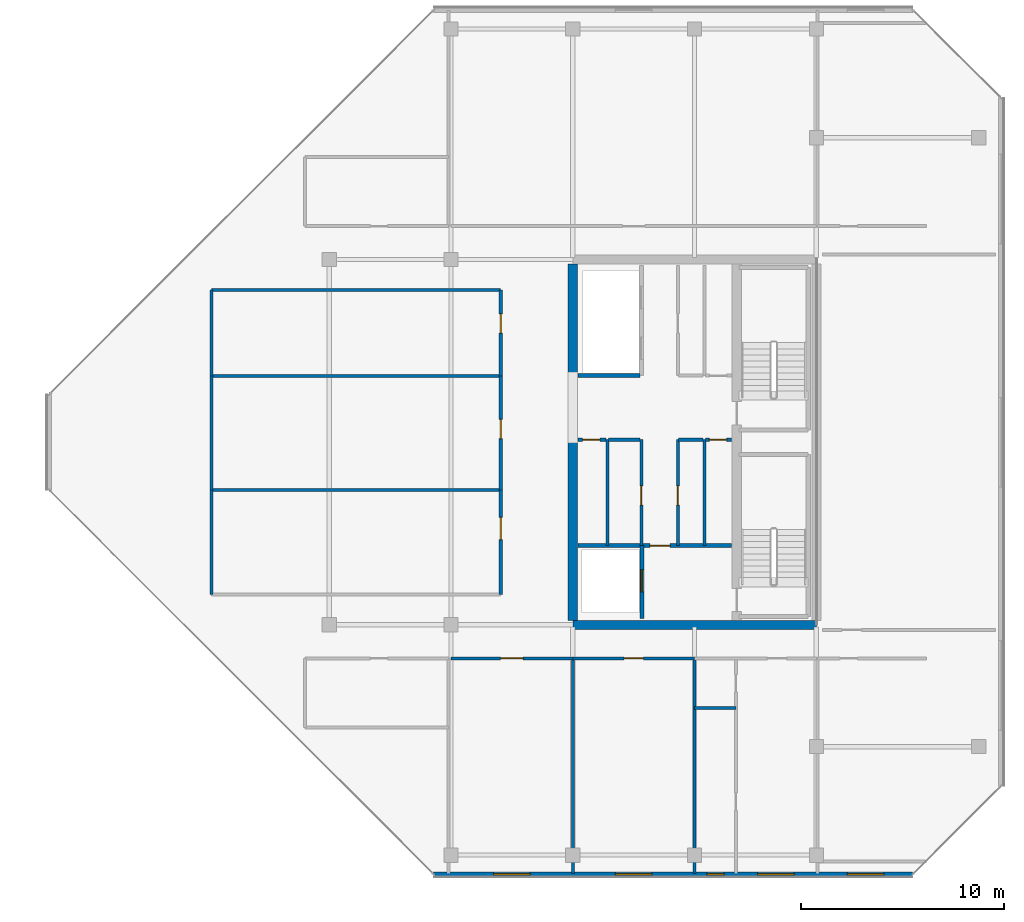
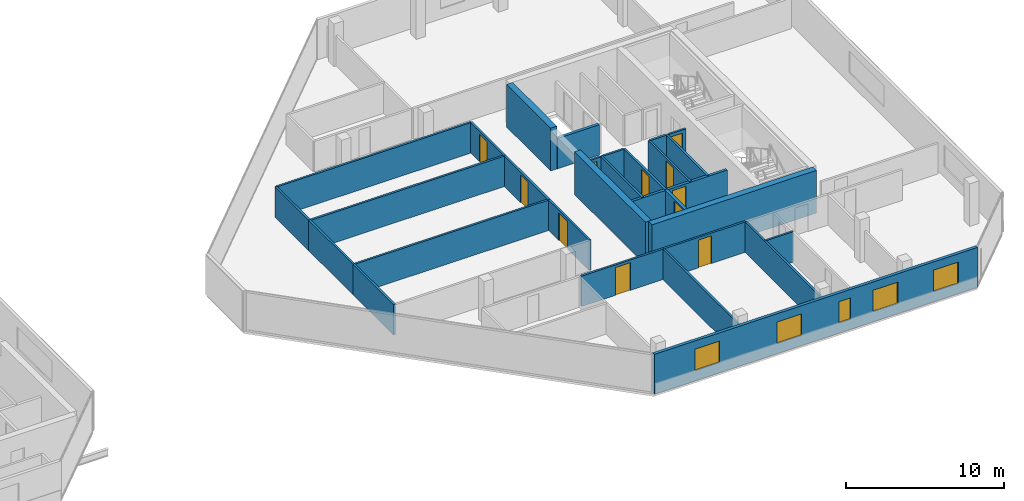
# One storey, part 23 of 29: 29 walls, 11 doors, 5 windows, 16 openings.
"""IFC4 building model written with IfcOpenShell, lengths in metres."""

from ifc_helpers import new_model, si_unit, direction, frame, frame_2d, origin, place, context, subcontext, project, spatial, rectangle, extrude, material, layer, layer_set, type_object, element, fill, save


model = new_model("IFC4")

# Units and contexts
model_context = context("Model", 3, precision=1e-05, world=origin(), true_north=direction((0.0, 1.0)))
body_context = subcontext(model_context, "Body", "Model", "MODEL_VIEW")
ifc_project = project(units=[si_unit("LENGTHUNIT", "METRE"), si_unit("AREAUNIT", "SQUARE_METRE"), si_unit("VOLUMEUNIT", "CUBIC_METRE"), si_unit("PLANEANGLEUNIT", "RADIAN"), si_unit("MASSUNIT", "GRAM", prefix="KILO")], contexts=[model_context])

# Site, building, storey
site_placement = place(None, origin())
site = spatial("IfcSite", under=ifc_project, at=site_placement, CompositionType="ELEMENT")
building_placement = place(site_placement, origin())
building = spatial("IfcBuilding", under=site, at=building_placement, Name="Tanjung Sevakor Pilgrim Tower", CompositionType="ELEMENT")
storey_placement = place(building_placement, frame((0.0, 0.0, 235.949951171875)))
storey = spatial("IfcBuildingStorey", under=building, at=storey_placement, Name="L66", CompositionType="ELEMENT", Elevation=235.949951171875)

# Walls
ifc_material_1 = material(Name="Concrete C60/75", Category="concrete")
ifc_layer_1 = layer(ifc_material_1, 0.449951171875)
ifc_layer_set_1 = layer_set([ifc_layer_1], Name="WALL-CW-450")
wall_type_1 = type_object("IfcWallType", Name="WALL-CW-450", PredefinedType="SHEAR", material=ifc_layer_set_1)
wall_1_placement = place(storey_placement, frame((78.0, 24.60009765625, 0.0), z_axis=(0.0, 0.0, 1.0), x_axis=(1.0, 0.0, 0.0)))
element("IfcWall", 1, at=wall_1_placement, inside=storey, type_object=wall_type_1, Name="L66 E Core South Shear Wall", PredefinedType="SHEAR", context=body_context, shape_type="SweptSolid", body=[
    extrude(rectangle(XDim=12.0, YDim=0.449951171875, at=frame_2d((6.0, 0.0))), origin(), (0.0, 0.0, 1.0), 3.300048828125),
])
wall_2_placement = place(storey_placement, frame((78.0, 24.824951171875, 0.0), z_axis=(0.0, 0.0, 1.0), x_axis=(0.0, 1.0, 0.0)))
element("IfcWall", 2, at=wall_2_placement, inside=storey, type_object=wall_type_1, Name="L66 E Core Inner Shear Wall South", PredefinedType="SHEAR", context=body_context, shape_type="SweptSolid", body=[
    extrude(rectangle(XDim=8.97509765625, YDim=0.449951171875, at=frame_2d((4.487548828125, 0.0))), origin(), (0.0, 0.0, 1.0), 3.300048828125),
])
wall_3_placement = place(storey_placement, frame((78.0, 36.800048828125, 0.0), z_axis=(0.0, 0.0, 1.0), x_axis=(0.0, 1.0, 0.0)))
element("IfcWall", 3, at=wall_3_placement, inside=storey, type_object=wall_type_1, Name="L66 E Core Inner Shear Wall North", PredefinedType="SHEAR", context=body_context, shape_type="SweptSolid", body=[
    extrude(rectangle(XDim=5.574951171875, YDim=0.449951171875, at=frame_2d((2.78759765625, 0.0))), origin(), (0.0, 0.0, 1.0), 3.300048828125),
])
ifc_material_2 = material(Name="Concrete C40/50", Category="concrete")
ifc_layer_2 = layer(ifc_material_2, 0.14990234375)
ifc_layer_set_2 = layer_set([ifc_layer_2], Name="WT-COMP-150")
wall_type_2 = type_object("IfcWallType", Name="WT-COMP-150", PredefinedType="SOLIDWALL", material=ifc_layer_set_2)
wall_4_placement = place(storey_placement, frame((84.47998046875, 28.5, 0.0), z_axis=(0.0, 0.0, 1.0), x_axis=(0.0, 1.0, 0.0)))
element("IfcWall", 4, at=wall_4_placement, inside=storey, type_object=wall_type_2, Name="L66 Partition IW-L66-019", PredefinedType="SOLIDWALL", context=body_context, shape_type="SweptSolid", body=[
    extrude(rectangle(XDim=5.219970703125, YDim=0.14990234375, at=frame_2d((2.60986328125, 0.0))), origin(), (0.0, 0.0, 1.0), 2.35009765625),
])

# Wall, opening, door
wall_5_placement = place(storey_placement, frame((84.550048828125, 33.719970703125, 0.0), z_axis=(0.0, 0.0, 1.0), x_axis=(1.0, 0.0, 0.0)))
wall_5 = element("IfcWall", 5, at=wall_5_placement, inside=storey, type_object=wall_type_2, Name="L66 Partition IW-L66-020", PredefinedType="SOLIDWALL", context=body_context, shape_type="SweptSolid", body=[
    extrude(rectangle(XDim=1.280029296875, YDim=0.14990234375, at=frame_2d((0.64013671875, 0.0))), origin(), (0.0, 0.0, 1.0), 2.35009765625),
])
opening_1_placement = place(wall_5_placement, frame((0.179931640625, 0.0, 0.0)))
opening_1 = element("IfcOpeningElement", 6, at=opening_1_placement, cuts=wall_5, Name="Opening ID-FD3", PredefinedType="OPENING", context=body_context, shape_type="SweptSolid", body=[
    extrude(rectangle(XDim=0.85009765625, YDim=2.10009765625, at=frame_2d((0.425048828125, 1.050048828125))), frame((0.0, 0.0849609375, 0.0), z_axis=(0.0, -1.0, 0.0), x_axis=(1.0, 0.0, 0.0)), (0.0, 0.0, 1.0), 0.169921875),
])
ifc_material_3 = material(Name="Fire-Rated Timber", Category="wood")
door_type_1 = type_object("IfcDoorType", Name="DT-FIRE-850", OperationType="NOTDEFINED", PredefinedType="DOOR", material=ifc_material_3)
door_1_placement = place(opening_1_placement, origin())
door_1 = element("IfcDoor", 7, at=door_1_placement, inside=storey, type_object=door_type_1, Name="L66 Cleaner Store Door", OperationType="SINGLE_SWING_RIGHT", OverallHeight=2.10009765625, OverallWidth=0.85009765625, PredefinedType="DOOR", context=body_context, shape_type="SweptSolid", body=[
    extrude(rectangle(XDim=0.85009765625, YDim=2.10009765625, at=frame_2d((0.425048828125, 1.050048828125))), frame((0.0, 0.02490234375, 0.0), z_axis=(0.0, -1.0, 0.0), x_axis=(1.0, 0.0, 0.0)), (0.0, 0.0, 1.0), 0.050048828125),
])
fill(opening_1, door_1)

# Wall
wall_6_placement = place(storey_placement, frame((83.199951171875, 33.719970703125, 0.0), z_axis=(0.0, 0.0, 1.0), x_axis=(1.0, 0.0, 0.0)))
element("IfcWall", 8, at=wall_6_placement, inside=storey, type_object=wall_type_2, Name="L66 Partition IW-L66-021", PredefinedType="SOLIDWALL", context=body_context, shape_type="SweptSolid", body=[
    extrude(rectangle(XDim=1.219970703125, YDim=0.14990234375, at=frame_2d((0.60986328125, 0.0))), origin(), (0.0, 0.0, 1.0), 2.35009765625),
])

# Wall, opening, door
wall_7_placement = place(storey_placement, frame((83.179931640625, 28.5, 0.0), z_axis=(0.0, 0.0, 1.0), x_axis=(0.0, 1.0, 0.0)))
wall_7 = element("IfcWall", 9, at=wall_7_placement, inside=storey, type_object=wall_type_2, Name="L66 Partition IW-L66-022", PredefinedType="SOLIDWALL", context=body_context, shape_type="SweptSolid", body=[
    extrude(rectangle(XDim=5.219970703125, YDim=0.14990234375, at=frame_2d((2.60986328125, 0.0))), origin(), (0.0, 0.0, 1.0), 2.35009765625),
])
opening_2_placement = place(wall_7_placement, frame((2.0, 0.0, 0.0)))
opening_2 = element("IfcOpeningElement", 10, at=opening_2_placement, cuts=wall_7, Name="Opening ID-FD2", PredefinedType="OPENING", context=body_context, shape_type="SweptSolid", body=[
    extrude(rectangle(XDim=0.949951171875, YDim=2.14990234375, at=frame_2d((0.47509765625, 1.074951171875))), frame((0.0, 0.0849609375, 0.0), z_axis=(0.0, -1.0, 0.0), x_axis=(1.0, 0.0, 0.0)), (0.0, 0.0, 1.0), 0.169921875),
])
ifc_material_4 = material(Name="Fire-Rated Timber", Category="wood")
door_type_2 = type_object("IfcDoorType", Name="DT-FIRE-950", OperationType="NOTDEFINED", PredefinedType="DOOR", material=ifc_material_4)
door_2_placement = place(opening_2_placement, origin())
door_2 = element("IfcDoor", 11, at=door_2_placement, inside=storey, type_object=door_type_2, Name="L66 Housekeeping Pantry Door", OperationType="SINGLE_SWING_LEFT", OverallHeight=2.14990234375, OverallWidth=0.949951171875, PredefinedType="DOOR", context=body_context, shape_type="SweptSolid", body=[
    extrude(rectangle(XDim=0.949951171875, YDim=2.14990234375, at=frame_2d((0.47509765625, 1.074951171875))), frame((0.0, 0.02490234375, 0.0), z_axis=(0.0, -1.0, 0.0), x_axis=(1.0, 0.0, 0.0)), (0.0, 0.0, 1.0), 0.050048828125),
])
fill(opening_2, door_2)

# Walls
wall_8_placement = place(storey_placement, frame((79.699951171875, 28.5, 0.0), z_axis=(0.0, 0.0, 1.0), x_axis=(0.0, 1.0, 0.0)))
element("IfcWall", 12, at=wall_8_placement, inside=storey, type_object=wall_type_2, Name="L66 Partition IW-L66-023", PredefinedType="SOLIDWALL", context=body_context, shape_type="SweptSolid", body=[
    extrude(rectangle(XDim=5.219970703125, YDim=0.14990234375, at=frame_2d((2.60986328125, 0.0))), origin(), (0.0, 0.0, 1.0), 2.35009765625),
])
wall_9_placement = place(storey_placement, frame((79.760009765625, 33.719970703125, 0.0), z_axis=(0.0, 0.0, 1.0), x_axis=(1.0, 0.0, 0.0)))
element("IfcWall", 13, at=wall_9_placement, inside=storey, type_object=wall_type_2, Name="L66 Partition IW-L66-024", PredefinedType="SOLIDWALL", context=body_context, shape_type="SweptSolid", body=[
    extrude(rectangle(XDim=1.56005859375, YDim=0.14990234375, at=frame_2d((0.780029296875, 0.0))), origin(), (0.0, 0.0, 1.0), 2.35009765625),
])

# Wall, opening, door
wall_10_placement = place(storey_placement, frame((78.2451171875, 33.719970703125, 0.0), z_axis=(0.0, 0.0, 1.0), x_axis=(1.0, 0.0, 0.0)))
wall_10 = element("IfcWall", 14, at=wall_10_placement, inside=storey, type_object=wall_type_2, Name="L66 Partition IW-L66-025", PredefinedType="SOLIDWALL", context=body_context, shape_type="SweptSolid", body=[
    extrude(rectangle(XDim=1.394775390625, YDim=0.14990234375, at=frame_2d((0.697265625, 0.0))), origin(), (0.0, 0.0, 1.0), 2.35009765625),
])
opening_3_placement = place(wall_10_placement, frame((0.239990234375, 0.0, 0.0)))
opening_3 = element("IfcOpeningElement", 15, at=opening_3_placement, cuts=wall_10, Name="Opening ID-FD3", PredefinedType="OPENING", context=body_context, shape_type="SweptSolid", body=[
    extrude(rectangle(XDim=0.85009765625, YDim=2.10009765625, at=frame_2d((0.425048828125, 1.050048828125))), frame((0.0, 0.0849609375, 0.0), z_axis=(0.0, -1.0, 0.0), x_axis=(1.0, 0.0, 0.0)), (0.0, 0.0, 1.0), 0.169921875),
])
door_3_placement = place(opening_3_placement, origin())
door_3 = element("IfcDoor", 16, at=door_3_placement, inside=storey, type_object=door_type_1, Name="L66 Service Store Door", OperationType="SINGLE_SWING_RIGHT", OverallHeight=2.10009765625, OverallWidth=0.85009765625, PredefinedType="DOOR", context=body_context, shape_type="SweptSolid", body=[
    extrude(rectangle(XDim=0.85009765625, YDim=2.10009765625, at=frame_2d((0.425048828125, 1.050048828125))), frame((0.0, 0.02490234375, 0.0), z_axis=(0.0, -1.0, 0.0), x_axis=(1.0, 0.0, 0.0)), (0.0, 0.0, 1.0), 0.050048828125),
])
fill(opening_3, door_3)

wall_11_placement = place(storey_placement, frame((81.3798828125, 28.5, 0.0), z_axis=(0.0, 0.0, 1.0), x_axis=(0.0, 1.0, 0.0)))
wall_11 = element("IfcWall", 17, at=wall_11_placement, inside=storey, type_object=wall_type_2, Name="L66 Partition IW-L66-026", PredefinedType="SOLIDWALL", context=body_context, shape_type="SweptSolid", body=[
    extrude(rectangle(XDim=5.219970703125, YDim=0.14990234375, at=frame_2d((2.60986328125, 0.0))), origin(), (0.0, 0.0, 1.0), 2.35009765625),
])
opening_4_placement = place(wall_11_placement, frame((2.0, 0.0, 0.0)))
opening_4 = element("IfcOpeningElement", 18, at=opening_4_placement, cuts=wall_11, Name="Opening ID-FD2", PredefinedType="OPENING", context=body_context, shape_type="SweptSolid", body=[
    extrude(rectangle(XDim=0.949951171875, YDim=2.14990234375, at=frame_2d((0.47509765625, 1.074951171875))), frame((0.0, 0.0849609375, 0.0), z_axis=(0.0, -1.0, 0.0), x_axis=(1.0, 0.0, 0.0)), (0.0, 0.0, 1.0), 0.169921875),
])
door_4_placement = place(opening_4_placement, origin())
door_4 = element("IfcDoor", 19, at=door_4_placement, inside=storey, type_object=door_type_2, Name="L66 Accessible WC Door", OperationType="SINGLE_SWING_LEFT", OverallHeight=2.14990234375, OverallWidth=0.949951171875, PredefinedType="DOOR", context=body_context, shape_type="SweptSolid", body=[
    extrude(rectangle(XDim=0.949951171875, YDim=2.14990234375, at=frame_2d((0.47509765625, 1.074951171875))), frame((0.0, 0.02490234375, 0.0), z_axis=(0.0, -1.0, 0.0), x_axis=(1.0, 0.0, 0.0)), (0.0, 0.0, 1.0), 0.050048828125),
])
fill(opening_4, door_4)

# Wall
wall_12_placement = place(storey_placement, frame((78.0, 12.340087890625, 0.0), z_axis=(0.0, 0.0, 1.0), x_axis=(0.0, 1.0, 0.0)))
element("IfcWall", 20, at=wall_12_placement, inside=storey, type_object=wall_type_2, Name="L66 Partition IW-L66-057", PredefinedType="SOLIDWALL", context=body_context, shape_type="SweptSolid", body=[
    extrude(rectangle(XDim=10.60986328125, YDim=0.14990234375, at=frame_2d((5.304931640625, 0.0))), origin(), (0.0, 0.0, 1.0), 2.35009765625),
])

# Wall, opening, door
wall_13_placement = place(storey_placement, frame((72.0, 22.949951171875, 0.0), z_axis=(0.0, 0.0, 1.0), x_axis=(1.0, 0.0, 0.0)))
wall_13 = element("IfcWall", 21, at=wall_13_placement, inside=storey, type_object=wall_type_2, Name="L66 Partition IW-L66-058", PredefinedType="SOLIDWALL", context=body_context, shape_type="SweptSolid", body=[
    extrude(rectangle(XDim=6.0, YDim=0.14990234375, at=frame_2d((3.0, 0.0))), origin(), (0.0, 0.0, 1.0), 2.35009765625),
])
opening_5_placement = place(wall_13_placement, frame((2.449951171875, 0.0, 0.0)))
opening_5 = element("IfcOpeningElement", 22, at=opening_5_placement, cuts=wall_13, Name="Opening ID-FD0", PredefinedType="OPENING", context=body_context, shape_type="SweptSolid", body=[
    extrude(rectangle(XDim=1.10009765625, YDim=2.14990234375, at=frame_2d((0.550048828125, 1.074951171875))), frame((0.0, 0.0849609375, 0.0), z_axis=(0.0, -1.0, 0.0), x_axis=(1.0, 0.0, 0.0)), (0.0, 0.0, 1.0), 0.169921875),
])
ifc_material_5 = material(Name="Fire-Rated Steel S355J2", Category="steel")
door_type_3 = type_object("IfcDoorType", Name="DT-FIRE-1100", OperationType="NOTDEFINED", PredefinedType="DOOR", material=ifc_material_5)
door_5_placement = place(opening_5_placement, origin())
door_5 = element("IfcDoor", 23, at=door_5_placement, inside=storey, type_object=door_type_3, Name="Council Room Door", OperationType="SINGLE_SWING_RIGHT", OverallHeight=2.14990234375, OverallWidth=1.10009765625, PredefinedType="DOOR", context=body_context, shape_type="SweptSolid", body=[
    extrude(rectangle(XDim=1.10009765625, YDim=2.14990234375, at=frame_2d((0.550048828125, 1.074951171875))), frame((0.0, 0.02490234375, 0.0), z_axis=(0.0, -1.0, 0.0), x_axis=(1.0, 0.0, 0.0)), (0.0, 0.0, 1.0), 0.050048828125),
])
fill(opening_5, door_5)

# Wall
wall_14_placement = place(storey_placement, frame((84.0, 12.340087890625, 0.0), z_axis=(0.0, 0.0, 1.0), x_axis=(0.0, 1.0, 0.0)))
element("IfcWall", 24, at=wall_14_placement, inside=storey, type_object=wall_type_2, Name="L66 Partition IW-L66-059", PredefinedType="SOLIDWALL", context=body_context, shape_type="SweptSolid", body=[
    extrude(rectangle(XDim=10.60986328125, YDim=0.14990234375, at=frame_2d((5.304931640625, 0.0))), origin(), (0.0, 0.0, 1.0), 2.35009765625),
])

# Wall, opening, door
wall_15_placement = place(storey_placement, frame((78.0, 22.949951171875, 0.0), z_axis=(0.0, 0.0, 1.0), x_axis=(1.0, 0.0, 0.0)))
wall_15 = element("IfcWall", 25, at=wall_15_placement, inside=storey, type_object=wall_type_2, Name="L66 Partition IW-L66-060", PredefinedType="SOLIDWALL", context=body_context, shape_type="SweptSolid", body=[
    extrude(rectangle(XDim=6.0, YDim=0.14990234375, at=frame_2d((3.0, 0.0))), origin(), (0.0, 0.0, 1.0), 2.35009765625),
])
opening_6_placement = place(wall_15_placement, frame((2.52490234375, 0.0, 0.0)))
opening_6 = element("IfcOpeningElement", 26, at=opening_6_placement, cuts=wall_15, Name="Opening ID-FD2", PredefinedType="OPENING", context=body_context, shape_type="SweptSolid", body=[
    extrude(rectangle(XDim=0.949951171875, YDim=2.14990234375, at=frame_2d((0.47509765625, 1.074951171875))), frame((0.0, 0.0849609375, 0.0), z_axis=(0.0, -1.0, 0.0), x_axis=(1.0, 0.0, 0.0)), (0.0, 0.0, 1.0), 0.169921875),
])
door_6_placement = place(opening_6_placement, origin())
door_6 = element("IfcDoor", 27, at=door_6_placement, inside=storey, type_object=door_type_2, Name="Housekeeping Pantry Door", OperationType="SINGLE_SWING_LEFT", OverallHeight=2.14990234375, OverallWidth=0.949951171875, PredefinedType="DOOR", context=body_context, shape_type="SweptSolid", body=[
    extrude(rectangle(XDim=0.949951171875, YDim=2.14990234375, at=frame_2d((0.47509765625, 1.074951171875))), frame((0.0, 0.02490234375, 0.0), z_axis=(0.0, -1.0, 0.0), x_axis=(1.0, 0.0, 0.0)), (0.0, 0.0, 1.0), 0.050048828125),
])
fill(opening_6, door_6)

# Walls
wall_16_placement = place(storey_placement, frame((60.199951171875, 31.25, 0.0), z_axis=(0.0, 0.0, 1.0), x_axis=(1.0, 0.0, 0.0)))
element("IfcWall", 28, at=wall_16_placement, inside=storey, type_object=wall_type_2, Name="L66 Partition IW-L66-066", PredefinedType="SOLIDWALL", context=body_context, shape_type="SweptSolid", body=[
    extrude(rectangle(XDim=14.25, YDim=0.14990234375, at=frame_2d((7.125, 0.0))), origin(), (0.0, 0.0, 1.0), 2.35009765625),
])
wall_17_placement = place(storey_placement, frame((60.199951171875, 26.10009765625, 0.0), z_axis=(0.0, 0.0, 1.0), x_axis=(0.0, 1.0, 0.0)))
element("IfcWall", 29, at=wall_17_placement, inside=storey, type_object=wall_type_2, Name="L66 Partition IW-L66-067", PredefinedType="SOLIDWALL", context=body_context, shape_type="SweptSolid", body=[
    extrude(rectangle(XDim=5.14990234375, YDim=0.14990234375, at=frame_2d((2.574951171875, 0.0))), origin(), (0.0, 0.0, 1.0), 2.35009765625),
])

# Wall, opening, door
wall_18_placement = place(storey_placement, frame((74.449951171875, 26.10009765625, 0.0), z_axis=(0.0, 0.0, 1.0), x_axis=(0.0, 1.0, 0.0)))
wall_18 = element("IfcWall", 30, at=wall_18_placement, inside=storey, type_object=wall_type_2, Name="L66 Partition IW-L66-068", PredefinedType="SOLIDWALL", context=body_context, shape_type="SweptSolid", body=[
    extrude(rectangle(XDim=5.14990234375, YDim=0.14990234375, at=frame_2d((2.574951171875, 0.0))), origin(), (0.0, 0.0, 1.0), 2.35009765625),
])
opening_7_placement = place(wall_18_placement, frame((2.699951171875, 0.0, 0.0)))
opening_7 = element("IfcOpeningElement", 31, at=opening_7_placement, cuts=wall_18, Name="Opening ID-RM2", PredefinedType="OPENING", context=body_context, shape_type="SweptSolid", body=[
    extrude(rectangle(XDim=1.10009765625, YDim=2.14990234375, at=frame_2d((0.550048828125, 1.074951171875))), frame((0.0, 0.0849609375, 0.0), z_axis=(0.0, -1.0, 0.0), x_axis=(1.0, 0.0, 0.0)), (0.0, 0.0, 1.0), 0.169921875),
])
ifc_material_6 = material(Name="Hardwood Timber", Category="wood")
door_type_4 = type_object("IfcDoorType", Name="DT-INT-1100", OperationType="NOTDEFINED", PredefinedType="DOOR", material=ifc_material_6)
door_7_placement = place(opening_7_placement, origin())
door_7 = element("IfcDoor", 32, at=door_7_placement, inside=storey, type_object=door_type_4, Name="L66 South Peak Lounge Door", OperationType="SINGLE_SWING_RIGHT", OverallHeight=2.14990234375, OverallWidth=1.10009765625, PredefinedType="DOOR", context=body_context, shape_type="SweptSolid", body=[
    extrude(rectangle(XDim=1.10009765625, YDim=2.14990234375, at=frame_2d((0.550048828125, 1.074951171875))), frame((0.0, 0.02490234375, 0.0), z_axis=(0.0, -1.0, 0.0), x_axis=(1.0, 0.0, 0.0)), (0.0, 0.0, 1.0), 0.050048828125),
])
fill(opening_7, door_7)

# Walls
wall_19_placement = place(storey_placement, frame((60.199951171875, 36.85009765625, 0.0), z_axis=(0.0, 0.0, 1.0), x_axis=(1.0, 0.0, 0.0)))
element("IfcWall", 33, at=wall_19_placement, inside=storey, type_object=wall_type_2, Name="L66 Partition IW-L66-069", PredefinedType="SOLIDWALL", context=body_context, shape_type="SweptSolid", body=[
    extrude(rectangle(XDim=14.25, YDim=0.14990234375, at=frame_2d((7.125, 0.0))), origin(), (0.0, 0.0, 1.0), 2.35009765625),
])
wall_20_placement = place(storey_placement, frame((60.199951171875, 31.25, 0.0), z_axis=(0.0, 0.0, 1.0), x_axis=(0.0, 1.0, 0.0)))
element("IfcWall", 34, at=wall_20_placement, inside=storey, type_object=wall_type_2, Name="L66 Partition IW-L66-070", PredefinedType="SOLIDWALL", context=body_context, shape_type="SweptSolid", body=[
    extrude(rectangle(XDim=5.60009765625, YDim=0.14990234375, at=frame_2d((2.800048828125, 0.0))), origin(), (0.0, 0.0, 1.0), 2.35009765625),
])

# Wall, opening, door
wall_21_placement = place(storey_placement, frame((74.449951171875, 31.25, 0.0), z_axis=(0.0, 0.0, 1.0), x_axis=(0.0, 1.0, 0.0)))
wall_21 = element("IfcWall", 35, at=wall_21_placement, inside=storey, type_object=wall_type_2, Name="L66 Partition IW-L66-071", PredefinedType="SOLIDWALL", context=body_context, shape_type="SweptSolid", body=[
    extrude(rectangle(XDim=5.60009765625, YDim=0.14990234375, at=frame_2d((2.800048828125, 0.0))), origin(), (0.0, 0.0, 1.0), 2.35009765625),
])
opening_8_placement = place(wall_21_placement, frame((2.52490234375, 0.0, 0.0)))
opening_8 = element("IfcOpeningElement", 36, at=opening_8_placement, cuts=wall_21, Name="Opening ID-RM1", PredefinedType="OPENING", context=body_context, shape_type="SweptSolid", body=[
    extrude(rectangle(XDim=0.949951171875, YDim=2.14990234375, at=frame_2d((0.47509765625, 1.074951171875))), frame((0.0, 0.0849609375, 0.0), z_axis=(0.0, -1.0, 0.0), x_axis=(1.0, 0.0, 0.0)), (0.0, 0.0, 1.0), 0.169921875),
])
ifc_material_7 = material(Name="Hardwood Timber", Category="wood")
door_type_5 = type_object("IfcDoorType", Name="DT-INT-950", OperationType="NOTDEFINED", PredefinedType="DOOR", material=ifc_material_7)
door_8_placement = place(opening_8_placement, origin())
door_8 = element("IfcDoor", 37, at=door_8_placement, inside=storey, type_object=door_type_5, Name="L66 Mid Peak Study Door", OperationType="SINGLE_SWING_LEFT", OverallHeight=2.14990234375, OverallWidth=0.949951171875, PredefinedType="DOOR", context=body_context, shape_type="SweptSolid", body=[
    extrude(rectangle(XDim=0.949951171875, YDim=2.14990234375, at=frame_2d((0.47509765625, 1.074951171875))), frame((0.0, 0.02490234375, 0.0), z_axis=(0.0, -1.0, 0.0), x_axis=(1.0, 0.0, 0.0)), (0.0, 0.0, 1.0), 0.050048828125),
])
fill(opening_8, door_8)

# Walls
wall_22_placement = place(storey_placement, frame((60.199951171875, 41.10009765625, 0.0), z_axis=(0.0, 0.0, 1.0), x_axis=(1.0, 0.0, 0.0)))
element("IfcWall", 38, at=wall_22_placement, inside=storey, type_object=wall_type_2, Name="L66 Partition IW-L66-072", PredefinedType="SOLIDWALL", context=body_context, shape_type="SweptSolid", body=[
    extrude(rectangle(XDim=14.25, YDim=0.14990234375, at=frame_2d((7.125, 0.0))), origin(), (0.0, 0.0, 1.0), 2.35009765625),
])
wall_23_placement = place(storey_placement, frame((60.199951171875, 36.85009765625, 0.0), z_axis=(0.0, 0.0, 1.0), x_axis=(0.0, 1.0, 0.0)))
element("IfcWall", 39, at=wall_23_placement, inside=storey, type_object=wall_type_2, Name="L66 Partition IW-L66-073", PredefinedType="SOLIDWALL", context=body_context, shape_type="SweptSolid", body=[
    extrude(rectangle(XDim=4.25, YDim=0.14990234375, at=frame_2d((2.125, 0.0))), origin(), (0.0, 0.0, 1.0), 2.35009765625),
])

# Wall, opening, door
wall_24_placement = place(storey_placement, frame((74.449951171875, 36.85009765625, 0.0), z_axis=(0.0, 0.0, 1.0), x_axis=(0.0, 1.0, 0.0)))
wall_24 = element("IfcWall", 40, at=wall_24_placement, inside=storey, type_object=wall_type_2, Name="L66 Partition IW-L66-074", PredefinedType="SOLIDWALL", context=body_context, shape_type="SweptSolid", body=[
    extrude(rectangle(XDim=4.25, YDim=0.14990234375, at=frame_2d((2.125, 0.0))), origin(), (0.0, 0.0, 1.0), 2.35009765625),
])
opening_9_placement = place(wall_24_placement, frame((2.125, 0.0, 0.0)))
opening_9 = element("IfcOpeningElement", 41, at=opening_9_placement, cuts=wall_24, Name="Opening ID-RM1", PredefinedType="OPENING", context=body_context, shape_type="SweptSolid", body=[
    extrude(rectangle(XDim=0.949951171875, YDim=2.14990234375, at=frame_2d((0.47509765625, 1.074951171875))), frame((0.0, 0.0849609375, 0.0), z_axis=(0.0, -1.0, 0.0), x_axis=(1.0, 0.0, 0.0)), (0.0, 0.0, 1.0), 0.169921875),
])
door_9_placement = place(opening_9_placement, origin())
door_9 = element("IfcDoor", 42, at=door_9_placement, inside=storey, type_object=door_type_5, Name="L66 North Peak Council Door", OperationType="SINGLE_SWING_RIGHT", OverallHeight=2.14990234375, OverallWidth=0.949951171875, PredefinedType="DOOR", context=body_context, shape_type="SweptSolid", body=[
    extrude(rectangle(XDim=0.949951171875, YDim=2.14990234375, at=frame_2d((0.47509765625, 1.074951171875))), frame((0.0, 0.02490234375, 0.0), z_axis=(0.0, -1.0, 0.0), x_axis=(1.0, 0.0, 0.0)), (0.0, 0.0, 1.0), 0.050048828125),
])
fill(opening_9, door_9)

# Wall, openings, windows
ifc_material_8 = material(Name="Precast concrete C45/55", Category="concrete")
ifc_layer_3 = layer(ifc_material_8, 0.219970703125)
ifc_layer_set_3 = layer_set([ifc_layer_3], Name="WT-EW-STN4")
wall_type_3 = type_object("IfcWallType", Name="WT-EW-STN4", PredefinedType="SOLIDWALL", material=ifc_layer_set_3)
wall_25_placement = place(storey_placement, frame((71.1455078125, 12.31005859375, 0.0), z_axis=(0.0, 0.0, 1.0), x_axis=(1.0, 0.0, 0.0)))
wall_25 = element("IfcWall", 43, at=wall_25_placement, inside=storey, type_object=wall_type_3, Name="L66 EAST Exterior Wall 1", PredefinedType="SOLIDWALL", context=body_context, shape_type="SweptSolid", body=[
    extrude(rectangle(XDim=23.60888671875, YDim=0.219970703125, at=frame_2d((11.804443359375, 0.0))), origin(), (0.0, 0.0, 1.0), 3.080078125),
])
opening_10_placement = place(wall_25_placement, frame((20.381591796875, 0.0, 0.780029296875)))
opening_10 = element("IfcOpeningElement", 44, at=opening_10_placement, cuts=wall_25, Name="Opening WN-Z3-1660", PredefinedType="OPENING", context=body_context, shape_type="SweptSolid", body=[
    extrude(rectangle(XDim=1.800048828125, YDim=1.659912109375, at=frame_2d((0.89990234375, 0.830078125))), frame((0.0, 0.119873046875, 0.0), z_axis=(0.0, -1.0, 0.0), x_axis=(1.0, 0.0, 0.0)), (0.0, 0.0, 1.0), 0.239990234375),
])
opening_11_placement = place(wall_25_placement, frame((2.954345703125, 0.0, 0.780029296875)))
opening_11 = element("IfcOpeningElement", 45, at=opening_11_placement, cuts=wall_25, Name="Opening WN-Z3-1660", PredefinedType="OPENING", context=body_context, shape_type="SweptSolid", body=[
    extrude(rectangle(XDim=1.800048828125, YDim=1.659912109375, at=frame_2d((0.89990234375, 0.830078125))), frame((0.0, 0.119873046875, 0.0), z_axis=(0.0, -1.0, 0.0), x_axis=(1.0, 0.0, 0.0)), (0.0, 0.0, 1.0), 0.239990234375),
])
opening_12_placement = place(wall_25_placement, frame((8.954345703125, 0.0, 0.780029296875)))
opening_12 = element("IfcOpeningElement", 46, at=opening_12_placement, cuts=wall_25, Name="Opening WN-Z3-1660", PredefinedType="OPENING", context=body_context, shape_type="SweptSolid", body=[
    extrude(rectangle(XDim=1.800048828125, YDim=1.659912109375, at=frame_2d((0.89990234375, 0.830078125))), frame((0.0, 0.119873046875, 0.0), z_axis=(0.0, -1.0, 0.0), x_axis=(1.0, 0.0, 0.0)), (0.0, 0.0, 1.0), 0.239990234375),
])
opening_13_placement = place(wall_25_placement, frame((13.45947265625, 0.0, 0.780029296875)))
opening_13 = element("IfcOpeningElement", 47, at=opening_13_placement, cuts=wall_25, Name="Opening WN-SLM", PredefinedType="OPENING", context=body_context, shape_type="SweptSolid", body=[
    extrude(rectangle(XDim=0.85009765625, YDim=1.64990234375, at=frame_2d((0.425048828125, 0.824951171875))), frame((0.0, 0.119873046875, 0.0), z_axis=(0.0, -1.0, 0.0), x_axis=(1.0, 0.0, 0.0)), (0.0, 0.0, 1.0), 0.239990234375),
])
opening_14_placement = place(wall_25_placement, frame((15.96435546875, 0.0, 0.780029296875)))
opening_14 = element("IfcOpeningElement", 48, at=opening_14_placement, cuts=wall_25, Name="Opening WN-Z3-1660", PredefinedType="OPENING", context=body_context, shape_type="SweptSolid", body=[
    extrude(rectangle(XDim=1.800048828125, YDim=1.659912109375, at=frame_2d((0.89990234375, 0.830078125))), frame((0.0, 0.119873046875, 0.0), z_axis=(0.0, -1.0, 0.0), x_axis=(1.0, 0.0, 0.0)), (0.0, 0.0, 1.0), 0.239990234375),
])
ifc_material_9 = material(Name="Thermally Broken Aluminium and Low-E Glass", Category="aluminium")
window_type_1 = type_object("IfcWindowType", Name="WTYP-WN-SLM", PartitioningType="SINGLE_PANEL", PredefinedType="WINDOW", material=ifc_material_9)
window_1_placement = place(opening_13_placement, origin())
window_1 = element("IfcWindow", 49, at=window_1_placement, inside=storey, type_object=window_type_1, Name="L66 Facade Window 04", OverallHeight=1.64990234375, OverallWidth=0.85009765625, PartitioningType="SINGLE_PANEL", PredefinedType="WINDOW", context=body_context, shape_type="SweptSolid", body=[
    extrude(rectangle(XDim=0.85009765625, YDim=1.64990234375, at=frame_2d((0.425048828125, 0.824951171875))), frame((0.0, 0.030029296875, 0.0), z_axis=(0.0, -1.0, 0.0), x_axis=(1.0, 0.0, 0.0)), (0.0, 0.0, 1.0), 0.06005859375),
])
fill(opening_13, window_1)
ifc_material_10 = material(Name="Thermally Broken Aluminium and Low-E Glass", Category="aluminium")
window_type_2 = type_object("IfcWindowType", Name="WTYP-WN-Z3-1660", PartitioningType="DOUBLE_PANEL_VERTICAL", PredefinedType="WINDOW", material=ifc_material_10)
window_2_placement = place(opening_10_placement, origin())
window_2 = element("IfcWindow", 50, at=window_2_placement, inside=storey, type_object=window_type_2, Name="L66 Facade Window 01", OverallHeight=1.659912109375, OverallWidth=1.800048828125, PartitioningType="SINGLE_PANEL", PredefinedType="WINDOW", context=body_context, shape_type="SweptSolid", body=[
    extrude(rectangle(XDim=1.800048828125, YDim=1.659912109375, at=frame_2d((0.89990234375, 0.830078125))), frame((0.0, 0.030029296875, 0.0), z_axis=(0.0, -1.0, 0.0), x_axis=(1.0, 0.0, 0.0)), (0.0, 0.0, 1.0), 0.06005859375),
])
fill(opening_10, window_2)
window_3_placement = place(opening_11_placement, origin())
window_3 = element("IfcWindow", 51, at=window_3_placement, inside=storey, type_object=window_type_2, Name="L66 Facade Window 02", OverallHeight=1.659912109375, OverallWidth=1.800048828125, PartitioningType="SINGLE_PANEL", PredefinedType="WINDOW", context=body_context, shape_type="SweptSolid", body=[
    extrude(rectangle(XDim=1.800048828125, YDim=1.659912109375, at=frame_2d((0.89990234375, 0.830078125))), frame((0.0, 0.030029296875, 0.0), z_axis=(0.0, -1.0, 0.0), x_axis=(1.0, 0.0, 0.0)), (0.0, 0.0, 1.0), 0.06005859375),
])
fill(opening_11, window_3)
window_4_placement = place(opening_12_placement, origin())
window_4 = element("IfcWindow", 52, at=window_4_placement, inside=storey, type_object=window_type_2, Name="L66 Facade Window 03", OverallHeight=1.659912109375, OverallWidth=1.800048828125, PartitioningType="SINGLE_PANEL", PredefinedType="WINDOW", context=body_context, shape_type="SweptSolid", body=[
    extrude(rectangle(XDim=1.800048828125, YDim=1.659912109375, at=frame_2d((0.89990234375, 0.830078125))), frame((0.0, 0.030029296875, 0.0), z_axis=(0.0, -1.0, 0.0), x_axis=(1.0, 0.0, 0.0)), (0.0, 0.0, 1.0), 0.06005859375),
])
fill(opening_12, window_4)
window_5_placement = place(opening_14_placement, origin())
window_5 = element("IfcWindow", 53, at=window_5_placement, inside=storey, type_object=window_type_2, Name="L66 Facade Window 05", OverallHeight=1.659912109375, OverallWidth=1.800048828125, PartitioningType="SINGLE_PANEL", PredefinedType="WINDOW", context=body_context, shape_type="SweptSolid", body=[
    extrude(rectangle(XDim=1.800048828125, YDim=1.659912109375, at=frame_2d((0.89990234375, 0.830078125))), frame((0.0, 0.030029296875, 0.0), z_axis=(0.0, -1.0, 0.0), x_axis=(1.0, 0.0, 0.0)), (0.0, 0.0, 1.0), 0.06005859375),
])
fill(opening_14, window_5)

# Wall, opening, door
ifc_material_11 = material(Name="Concrete C40/50", Category="concrete")
ifc_layer_4 = layer(ifc_material_11, 0.199951171875)
ifc_layer_set_4 = layer_set([ifc_layer_4], Name="WT-FPRT-200")
wall_type_4 = type_object("IfcWallType", Name="WT-FPRT-200", PredefinedType="SOLIDWALL", material=ifc_layer_set_4)
wall_26_placement = place(storey_placement, frame((81.39990234375, 24.919921875, 0.0), z_axis=(0.0, 0.0, 1.0), x_axis=(0.0, 1.0, 0.0)))
wall_26 = element("IfcWall", 54, at=wall_26_placement, inside=storey, type_object=wall_type_4, Name="L66 Partition IW-L66-017", PredefinedType="SOLIDWALL", context=body_context, shape_type="SweptSolid", body=[
    extrude(rectangle(XDim=3.580078125, YDim=0.199951171875, at=frame_2d((1.7900390625, 0.0))), origin(), (0.0, 0.0, 1.0), 2.35009765625),
])
opening_15_placement = place(wall_26_placement, frame((1.300048828125, 0.0, 0.0)))
opening_15 = element("IfcOpeningElement", 55, at=opening_15_placement, cuts=wall_26, Name="Opening LD-1100", PredefinedType="OPENING", context=body_context, shape_type="SweptSolid", body=[
    extrude(rectangle(XDim=1.10009765625, YDim=2.199951171875, at=frame_2d((0.550048828125, 1.10009765625))), frame((0.0, 0.10986328125, 0.0), z_axis=(0.0, -1.0, 0.0), x_axis=(1.0, 0.0, 0.0)), (0.0, 0.0, 1.0), 0.219970703125),
])
ifc_material_12 = material(Name="Brushed Stainless Steel S355J2", Category="steel")
door_type_6 = type_object("IfcDoorType", Name="DT-LIFT-1100", OperationType="SLIDING_TO_LEFT", PredefinedType="DOOR", material=ifc_material_12)
door_10_placement = place(opening_15_placement, origin())
door_10 = element("IfcDoor", 56, at=door_10_placement, inside=storey, type_object=door_type_6, Name="LD-FL-E", OperationType="SLIDING_TO_LEFT", OverallHeight=2.199951171875, OverallWidth=1.10009765625, PredefinedType="DOOR", context=body_context, shape_type="SweptSolid", body=[
    extrude(rectangle(XDim=1.10009765625, YDim=2.199951171875, at=frame_2d((0.550048828125, 1.10009765625))), frame((0.0, 0.02490234375, 0.0), z_axis=(0.0, -1.0, 0.0), x_axis=(1.0, 0.0, 0.0)), (0.0, 0.0, 1.0), 0.050048828125),
])
fill(opening_15, door_10)

wall_27_placement = place(storey_placement, frame((78.2451171875, 28.5, 0.0), z_axis=(0.0, 0.0, 1.0), x_axis=(1.0, 0.0, 0.0)))
wall_27 = element("IfcWall", 57, at=wall_27_placement, inside=storey, type_object=wall_type_4, Name="L66 Partition IW-L66-018", PredefinedType="SOLIDWALL", context=body_context, shape_type="SweptSolid", body=[
    extrude(rectangle(XDim=7.5849609375, YDim=0.199951171875, at=frame_2d((3.79248046875, 0.0))), origin(), (0.0, 0.0, 1.0), 2.35009765625),
])
opening_16_placement = place(wall_27_placement, frame((3.554931640625, 0.0, 0.0)))
opening_16 = element("IfcOpeningElement", 58, at=opening_16_placement, cuts=wall_27, Name="Opening ID-FD1", PredefinedType="OPENING", context=body_context, shape_type="SweptSolid", body=[
    extrude(rectangle(XDim=1.0, YDim=2.14990234375, at=frame_2d((0.5, 1.074951171875))), frame((0.0, 0.10986328125, 0.0), z_axis=(0.0, -1.0, 0.0), x_axis=(1.0, 0.0, 0.0)), (0.0, 0.0, 1.0), 0.219970703125),
])
ifc_material_13 = material(Name="Fire-Rated Steel S355J2", Category="steel")
door_type_7 = type_object("IfcDoorType", Name="DT-FIRE-1000", OperationType="NOTDEFINED", PredefinedType="DOOR", material=ifc_material_13)
door_11_placement = place(opening_16_placement, origin())
door_11 = element("IfcDoor", 59, at=door_11_placement, inside=storey, type_object=door_type_7, Name="Fire Lobby Door E", OperationType="SINGLE_SWING_LEFT", OverallHeight=2.14990234375, OverallWidth=1.0, PredefinedType="DOOR", context=body_context, shape_type="SweptSolid", body=[
    extrude(rectangle(XDim=1.0, YDim=2.14990234375, at=frame_2d((0.5, 1.074951171875))), frame((0.0, 0.02490234375, 0.0), z_axis=(0.0, -1.0, 0.0), x_axis=(1.0, 0.0, 0.0)), (0.0, 0.0, 1.0), 0.050048828125),
])
fill(opening_16, door_11)

# Walls
wall_28_placement = place(storey_placement, frame((78.2451171875, 36.8798828125, 0.0), z_axis=(0.0, 0.0, 1.0), x_axis=(1.0, 0.0, 0.0)))
element("IfcWall", 60, at=wall_28_placement, inside=storey, type_object=wall_type_4, Name="L66 Partition IW-L66-031", PredefinedType="SOLIDWALL", context=body_context, shape_type="SweptSolid", body=[
    extrude(rectangle(XDim=3.074951171875, YDim=0.199951171875, at=frame_2d((1.53759765625, 0.0))), origin(), (0.0, 0.0, 1.0), 2.35009765625),
])
ifc_material_14 = material(Name="Gypsum Board Partition", Category="gypsum board")
ifc_layer_5 = layer(ifc_material_14, 0.14990234375)
ifc_layer_set_5 = layer_set([ifc_layer_5], Name="WT-PART-150")
wall_type_5 = type_object("IfcWallType", Name="WT-PART-150", PredefinedType="PARTITIONING", material=ifc_layer_set_5)
wall_29_placement = place(storey_placement, frame((84.0, 20.5, 0.0), z_axis=(0.0, 0.0, 1.0), x_axis=(1.0, 0.0, 0.0)))
element("IfcWall", 61, at=wall_29_placement, inside=storey, type_object=wall_type_5, Name="L66 Partition IW-L66-061", PredefinedType="PARTITIONING", context=body_context, shape_type="SweptSolid", body=[
    extrude(rectangle(XDim=2.0400390625, YDim=0.14990234375, at=frame_2d((1.02001953125, 0.0))), origin(), (0.0, 0.0, 1.0), 2.35009765625),
])

save(model, "model.ifc")
